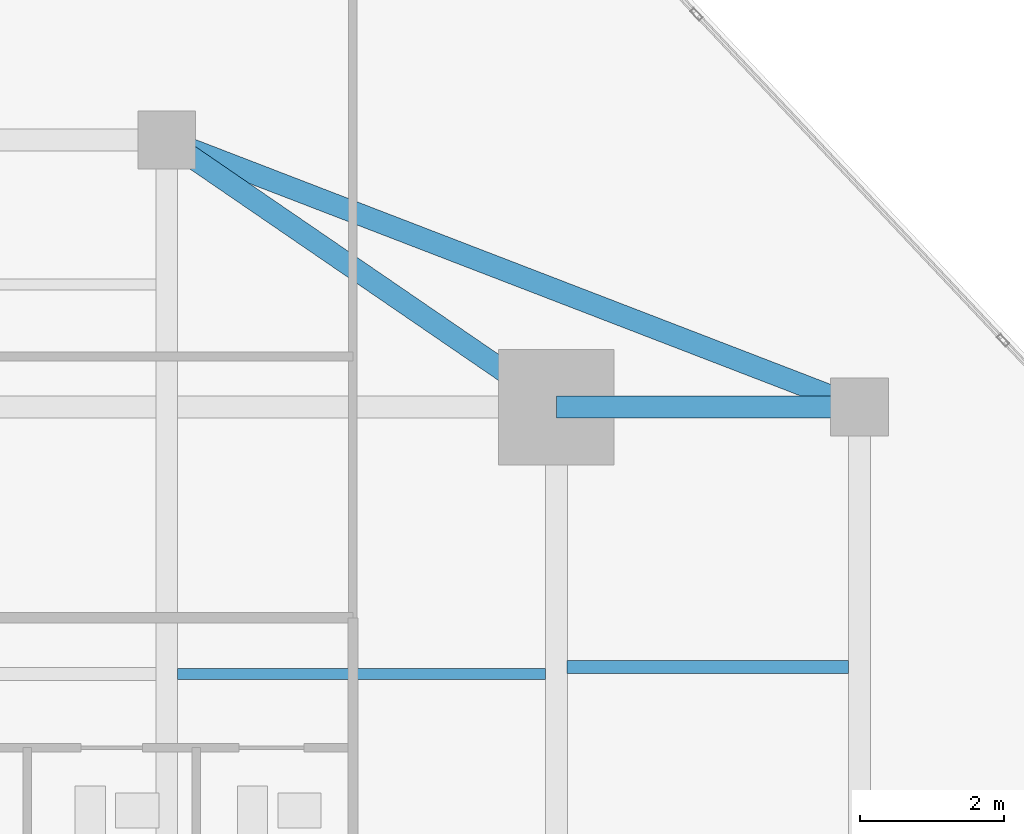
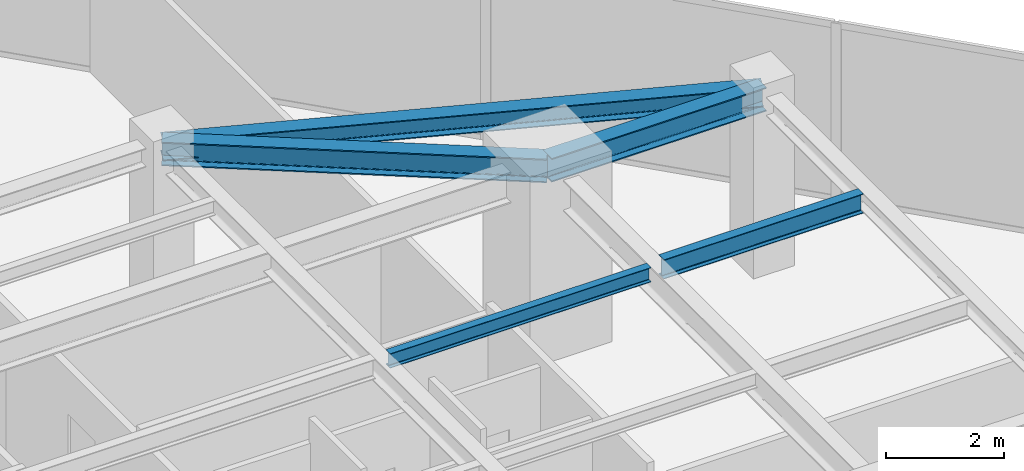
# One storey, part 17 of 25: 5 beams.
"""IFC4 building model written with IfcOpenShell, lengths in metres."""

from ifc_helpers import new_model, si_unit, direction, frame, origin, origin_2d, place, context, subcontext, project, spatial, i_section, extrude, source, transform, mapped, material, material_profile, profile_set, type_object, type_shapes, element, save


model = new_model("IFC4")

# Units and contexts
model_context = context("Model", 3, precision=1e-05, world=origin(), true_north=direction((0.0, 1.0)))
body_context = subcontext(model_context, "Body", "Model", "MODEL_VIEW")
ifc_project = project(units=[si_unit("LENGTHUNIT", "METRE"), si_unit("AREAUNIT", "SQUARE_METRE"), si_unit("VOLUMEUNIT", "CUBIC_METRE"), si_unit("PLANEANGLEUNIT", "RADIAN"), si_unit("MASSUNIT", "GRAM", prefix="KILO")], contexts=[model_context])

# Site, building, storey
site_placement = place(None, origin())
site = spatial("IfcSite", under=ifc_project, at=site_placement, CompositionType="ELEMENT")
building_placement = place(site_placement, origin())
building = spatial("IfcBuilding", under=site, at=building_placement, Name="Krantzveldt Concourse Tower", CompositionType="ELEMENT")
storey_placement = place(building_placement, frame((0.0, 0.0, 238.89990234375)))
storey = spatial("IfcBuildingStorey", under=building, at=storey_placement, Name="L58", CompositionType="ELEMENT", Elevation=238.89990234375)

# Beams
ifc_material = material(Name="Steel S355JR", Category="steel")
ifc_material_profile_1 = material_profile(ifc_material, i_section(OverallWidth=0.300048828125, OverallDepth=0.389892578125, WebThickness=0.010986328125, FlangeThickness=0.01904296875, FilletRadius=0.027099609375, at=origin_2d()), Name="Steel S355JR", Category="steel")
ifc_profile_set_1 = profile_set([ifc_material_profile_1], Name="Steel S355JR - HEA 400")
beam_type_1 = type_object("IfcBeamType", Name="BM-SP-HEA400", PredefinedType="SPANDREL", material=ifc_profile_set_1)
shared_shape_1 = source(origin(), body_context, "Body", "SweptSolid", [
    extrude(i_section(OverallWidth=0.300048828125, OverallDepth=0.389892578125, WebThickness=0.010986328125, FlangeThickness=0.01904296875, FilletRadius=0.027099609375, at=origin_2d()), origin(), (0.0, 0.0, 1.0), 10.288330078125),
])
type_shapes(beam_type_1, [shared_shape_1])
beam_1_placement = place(storey_placement, frame((41.39990234375, 41.199951171875, 3.47509765625), z_axis=(0.933097690408, -0.359622997257, 0.0), x_axis=(0.359622997257, 0.933097690408, 0.0)))
element("IfcBeam", 1, at=beam_1_placement, inside=storey, type_object=beam_type_1, Name="L58 Tower Girder SP-R05", PredefinedType="SPANDREL", context=body_context, shape_type="MappedRepresentation", body=[
    mapped(shared_shape_1, transform((0.0, 0.0, 0.0), x_axis=(1.0, 0.0, 0.0), y_axis=(0.0, 1.0, 0.0), z_axis=(0.0, 0.0, 1.0), scale=1.0)),
])
ifc_material_profile_2 = material_profile(ifc_material, i_section(OverallWidth=0.300048828125, OverallDepth=0.489990234375, WebThickness=0.011962890625, FlangeThickness=0.02294921875, FilletRadius=0.027099609375, at=origin_2d()), Name="Steel S355JR", Category="steel")
ifc_profile_set_2 = profile_set([ifc_material_profile_2], Name="Steel S355JR - HEA 500")
beam_type_2 = type_object("IfcBeamType", Name="BM-B-HEA500", PredefinedType="BEAM", material=ifc_profile_set_2)
shared_shape_2 = source(origin(), body_context, "Body", "SweptSolid", [
    extrude(i_section(OverallWidth=0.300048828125, OverallDepth=0.489990234375, WebThickness=0.011962890625, FlangeThickness=0.02294921875, FilletRadius=0.027099609375, at=origin_2d()), origin(), (0.0, 0.0, 1.0), 4.199951171875),
])
beam_2_placement = place(storey_placement, frame((46.800048828125, 37.5, 3.425048828125), z_axis=(1.0, 0.0, 0.0), x_axis=(0.0, 1.0, 0.0)))
element("IfcBeam", 2, at=beam_2_placement, inside=storey, type_object=beam_type_2, Name="L58 Tower Girder BR-RR3", PredefinedType="BEAM", context=body_context, shape_type="MappedRepresentation", body=[
    mapped(shared_shape_2, transform((0.0, 0.0, 0.0), x_axis=(1.0, 0.0, 0.0), y_axis=(0.0, 1.0, 0.0), z_axis=(0.0, 0.0, 1.0), scale=1.0)),
])
shared_shape_3 = source(origin(), body_context, "Body", "SweptSolid", [
    extrude(i_section(OverallWidth=0.300048828125, OverallDepth=0.489990234375, WebThickness=0.011962890625, FlangeThickness=0.02294921875, FilletRadius=0.027099609375, at=origin_2d()), origin(), (0.0, 0.0, 1.0), 6.546142578125),
])
type_shapes(beam_type_2, [shared_shape_2, shared_shape_3])
beam_3_placement = place(storey_placement, frame((46.800048828125, 37.5, 3.425048828125), z_axis=(-0.824942999484, 0.565215930068, 0.0), x_axis=(-0.565215930068, -0.824942999484, 0.0)))
element("IfcBeam", 3, at=beam_3_placement, inside=storey, type_object=beam_type_2, Name="L58 Tower Girder BR-RR4", PredefinedType="BEAM", context=body_context, shape_type="MappedRepresentation", body=[
    mapped(shared_shape_3, transform((0.0, 0.0, 0.0), x_axis=(1.0, 0.0, 0.0), y_axis=(0.0, 1.0, 0.0), z_axis=(0.0, 0.0, 1.0), scale=1.0)),
])
ifc_material_profile_3 = material_profile(ifc_material, i_section(OverallWidth=0.14990234375, OverallDepth=0.300048828125, WebThickness=0.007080078125, FlangeThickness=0.0107421875, FilletRadius=0.014892578125, at=origin_2d()), Name="Steel S355JR", Category="steel")
ifc_profile_set_3 = profile_set([ifc_material_profile_3], Name="Steel S355JR - IPE 300")
beam_type_3 = type_object("IfcBeamType", Name="BM-J-IPE300", PredefinedType="JOIST", material=ifc_profile_set_3)
shared_shape_4 = source(origin(), body_context, "Body", "SweptSolid", [
    extrude(i_section(OverallWidth=0.14990234375, OverallDepth=0.300048828125, WebThickness=0.007080078125, FlangeThickness=0.0107421875, FilletRadius=0.014892578125, at=origin_2d()), origin(), (0.0, 0.0, 1.0), 5.099853515625),
])
type_shapes(beam_type_3, [shared_shape_4])
beam_4_placement = place(storey_placement, frame((41.550048828125, 33.800048828125, 3.52001953125), z_axis=(1.0, 0.0, 0.0), x_axis=(0.0, 1.0, 0.0)))
element("IfcBeam", 4, at=beam_4_placement, inside=storey, type_object=beam_type_3, Name="L58 Secondary Floor Joist JN-E2", PredefinedType="JOIST", context=body_context, shape_type="MappedRepresentation", body=[
    mapped(shared_shape_4, transform((0.0, 0.0, 0.0), x_axis=(1.0, 0.0, 0.0), y_axis=(0.0, 1.0, 0.0), z_axis=(0.0, 0.0, 1.0), scale=1.0)),
])
ifc_material_profile_4 = material_profile(ifc_material, i_section(OverallWidth=0.179931640625, OverallDepth=0.39990234375, WebThickness=0.008544921875, FlangeThickness=0.013427734375, FilletRadius=0.02099609375, at=origin_2d()), Name="Steel S355JR", Category="steel")
ifc_profile_set_4 = profile_set([ifc_material_profile_4], Name="Steel S355JR - IPE 400")
beam_type_4 = type_object("IfcBeamType", Name="BM-J-IPE400", PredefinedType="JOIST", material=ifc_profile_set_4)
shared_shape_5 = source(origin(), body_context, "Body", "SweptSolid", [
    extrude(i_section(OverallWidth=0.179931640625, OverallDepth=0.39990234375, WebThickness=0.008544921875, FlangeThickness=0.013427734375, FilletRadius=0.02099609375, at=origin_2d()), origin(), (0.0, 0.0, 1.0), 3.900146484375),
])
type_shapes(beam_type_4, [shared_shape_5])
beam_5_placement = place(storey_placement, frame((46.949951171875, 33.89990234375, 3.47021484375), z_axis=(1.0, 0.0, 0.0), x_axis=(0.0, 1.0, 0.0)))
element("IfcBeam", 5, at=beam_5_placement, inside=storey, type_object=beam_type_4, Name="L58 Secondary Floor Joist JE-4", PredefinedType="JOIST", context=body_context, shape_type="MappedRepresentation", body=[
    mapped(shared_shape_5, transform((0.0, 0.0, 0.0), x_axis=(1.0, 0.0, 0.0), y_axis=(0.0, 1.0, 0.0), z_axis=(0.0, 0.0, 1.0), scale=1.0)),
])

save(model, "model.ifc")
